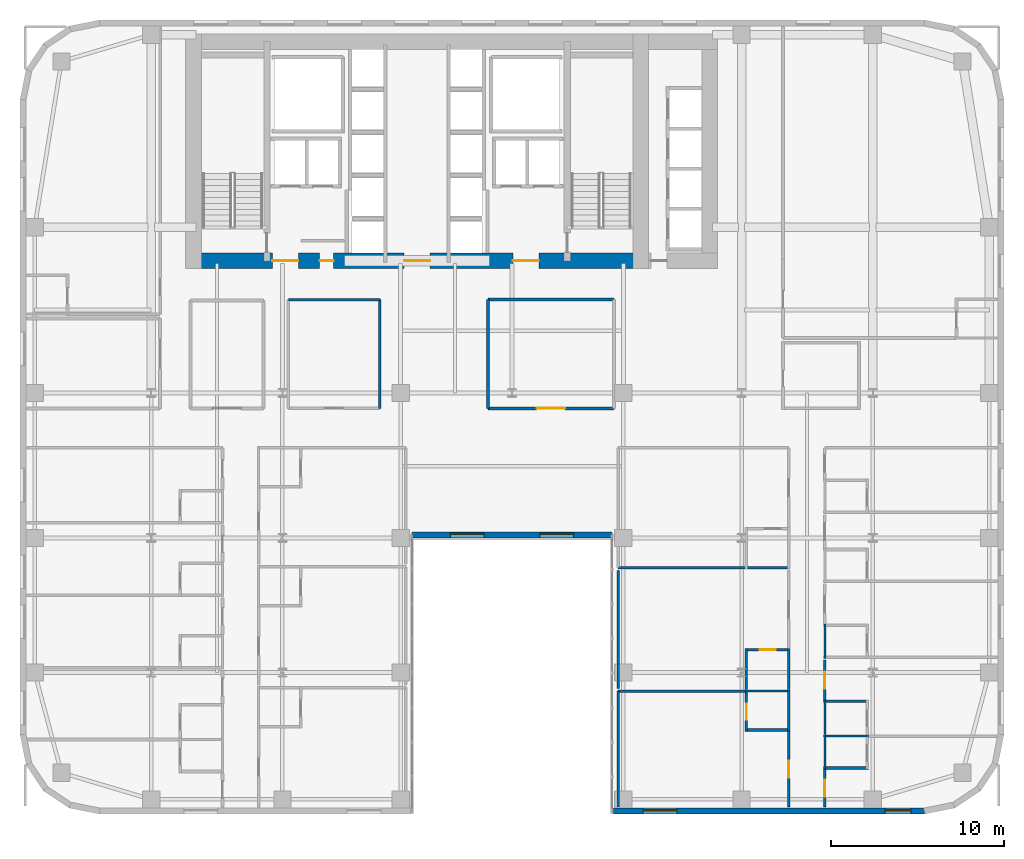
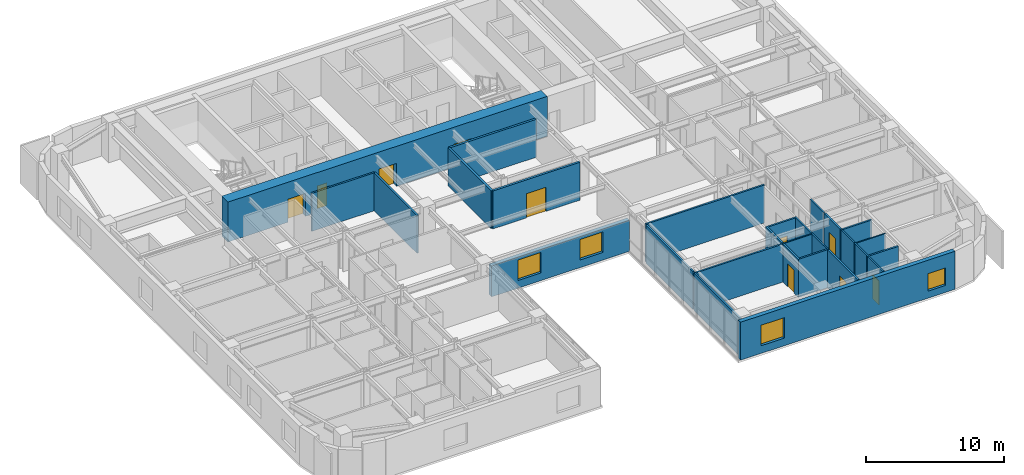
# One storey, part 12 of 17: 28 walls, 10 doors, 4 windows, 14 openings.
"""IFC4 building model written with IfcOpenShell, lengths in metres."""

from ifc_helpers import new_model, si_unit, direction, frame, frame_2d, origin, place, context, subcontext, project, spatial, rectangle, extrude, source, transform, mapped, material, layer, layer_set, type_object, type_shapes, element, fill, save


model = new_model("IFC4")

# Units and contexts
model_context = context("Model", 3, precision=1e-05, world=origin(), true_north=direction((0.0, 1.0)))
body_context = subcontext(model_context, "Body", "Model", "MODEL_VIEW")
ifc_project = project(units=[si_unit("LENGTHUNIT", "METRE"), si_unit("AREAUNIT", "SQUARE_METRE"), si_unit("VOLUMEUNIT", "CUBIC_METRE"), si_unit("PLANEANGLEUNIT", "RADIAN"), si_unit("MASSUNIT", "GRAM", prefix="KILO")], contexts=[model_context])

# Site, building, storey
site_placement = place(None, origin())
site = spatial("IfcSite", under=ifc_project, at=site_placement, CompositionType="ELEMENT")
building_placement = place(site_placement, origin())
building = spatial("IfcBuilding", under=site, at=building_placement, Name="Tolvann Quenvar Hotel", CompositionType="ELEMENT")
storey_placement = place(building_placement, frame((0.0, 0.0, 35.550048828125)))
storey = spatial("IfcBuildingStorey", under=building, at=storey_placement, Name="L07", CompositionType="ELEMENT", Elevation=35.550048828125)

# Wall, openings, doors
ifc_material_1 = material(Name="Concrete S80 (80 MPa)", Category="concrete")
ifc_layer_1 = layer(ifc_material_1, 0.89990234375)
ifc_layer_set_1 = layer_set([ifc_layer_1], Name="Concrete S80 (80 MPa)")
wall_type_1 = type_object("IfcWallType", Name="WALL_CORE_900", PredefinedType="SHEAR", material=ifc_layer_set_1)
wall_1_placement = place(storey_placement, frame((9.60009765625, 32.050048828125, 0.0), z_axis=(0.0, 0.0, 1.0), x_axis=(1.0, 0.0, 0.0)))
wall_1 = element("IfcWall", 1, at=wall_1_placement, inside=storey, type_object=wall_type_1, Name="Rear Core S Shear Wall (L07)", PredefinedType="SHEAR", context=body_context, shape_type="SweptSolid", body=[
    extrude(rectangle(XDim=26.7998046875, YDim=0.89990234375, at=frame_2d((13.39990234375, 0.0))), origin(), (0.0, 0.0, 1.0), 3.550048828125),
])
opening_1_placement = place(wall_1_placement, frame((6.52001953125, 0.0, 0.0), z_axis=(0.0, 0.0, 1.0), x_axis=(-1.0, 0.0, 0.0)))
opening_1 = element("IfcOpeningElement", 2, at=opening_1_placement, cuts=wall_1, Name="Opening FD-60D", PredefinedType="OPENING", context=body_context, shape_type="SweptSolid", body=[
    extrude(rectangle(XDim=1.5, YDim=2.0400390625, at=frame_2d((0.75, 1.02001953125))), frame((0.0, 0.4599609375, 0.0), z_axis=(0.0, -1.0, 0.0), x_axis=(1.0, 0.0, 0.0)), (0.0, 0.0, 1.0), 0.919921875),
])
opening_2_placement = place(wall_1_placement, frame((14.14990234375, 0.0, 0.0), z_axis=(0.0, 0.0, 1.0), x_axis=(-1.0, 0.0, 0.0)))
opening_2 = element("IfcOpeningElement", 3, at=opening_2_placement, cuts=wall_1, Name="Opening FD-60D", PredefinedType="OPENING", context=body_context, shape_type="SweptSolid", body=[
    extrude(rectangle(XDim=1.5, YDim=2.0400390625, at=frame_2d((0.75, 1.02001953125))), frame((0.0, 0.4599609375, 0.0), z_axis=(0.0, -1.0, 0.0), x_axis=(1.0, 0.0, 0.0)), (0.0, 0.0, 1.0), 0.919921875),
])
opening_3_placement = place(wall_1_placement, frame((20.449951171875, 0.0, 0.0), z_axis=(0.0, 0.0, 1.0), x_axis=(-1.0, 0.0, 0.0)))
opening_3 = element("IfcOpeningElement", 4, at=opening_3_placement, cuts=wall_1, Name="Opening FD-60D", PredefinedType="OPENING", context=body_context, shape_type="SweptSolid", body=[
    extrude(rectangle(XDim=1.5, YDim=2.0400390625, at=frame_2d((0.75, 1.02001953125))), frame((0.0, 0.4599609375, 0.0), z_axis=(0.0, -1.0, 0.0), x_axis=(1.0, 0.0, 0.0)), (0.0, 0.0, 1.0), 0.919921875),
])
opening_4_placement = place(wall_1_placement, frame((8.570068359375, 0.0, 0.0), z_axis=(0.0, 0.0, 1.0), x_axis=(-1.0, 0.0, 0.0)))
opening_4 = element("IfcOpeningElement", 5, at=opening_4_placement, cuts=wall_1, Name="Opening HD-02", PredefinedType="OPENING", context=body_context, shape_type="SweptSolid", body=[
    extrude(rectangle(XDim=0.820068359375, YDim=2.010009765625, at=frame_2d((0.41015625, 1.0048828125))), frame((0.0, 0.4599609375, 0.0), z_axis=(0.0, -1.0, 0.0), x_axis=(1.0, 0.0, 0.0)), (0.0, 0.0, 1.0), 0.919921875),
])
ifc_material_2 = material(Name="Solid-core American oak acoustic fire door leaf in steel frame", Category="steel")
door_type_1 = type_object("IfcDoorType", Name="DOOR_FIRE_LOBBY_1500", OperationType="NOTDEFINED", PredefinedType="DOOR", material=ifc_material_2)
shared_shape_1 = source(origin(), body_context, "Body", "SweptSolid", [
    extrude(rectangle(XDim=1.5, YDim=2.0400390625, at=frame_2d((0.75, 1.02001953125))), frame((0.0, 0.02490234375, 0.0), z_axis=(0.0, -1.0, 0.0), x_axis=(1.0, 0.0, 0.0)), (0.0, 0.0, 1.0), 0.050048828125),
])
type_shapes(door_type_1, [shared_shape_1])
door_1_placement = place(opening_1_placement, origin())
door_1 = element("IfcDoor", 6, at=door_1_placement, inside=storey, type_object=door_type_1, Name="Core Lobby Fire Door FFW (L07)", OperationType="DOUBLE_DOOR_SINGLE_SWING", OverallHeight=2.0400390625, OverallWidth=1.5, PredefinedType="DOOR", context=body_context, shape_type="MappedRepresentation", body=[
    mapped(shared_shape_1, transform((0.0, 0.0, 0.0), x_axis=(1.0, 0.0, 0.0), y_axis=(0.0, 1.0, 0.0), z_axis=(0.0, 0.0, 1.0), scale=1.0)),
])
fill(opening_1, door_1)
door_2_placement = place(opening_2_placement, origin())
door_2 = element("IfcDoor", 7, at=door_2_placement, inside=storey, type_object=door_type_1, Name="Core Lobby Fire Door CLOB (L07)", OperationType="DOUBLE_DOOR_SINGLE_SWING", OverallHeight=2.0400390625, OverallWidth=1.5, PredefinedType="DOOR", context=body_context, shape_type="MappedRepresentation", body=[
    mapped(shared_shape_1, transform((0.0, 0.0, 0.0), x_axis=(1.0, 0.0, 0.0), y_axis=(0.0, 1.0, 0.0), z_axis=(0.0, 0.0, 1.0), scale=1.0)),
])
fill(opening_2, door_2)
door_3_placement = place(opening_3_placement, origin())
door_3 = element("IfcDoor", 8, at=door_3_placement, inside=storey, type_object=door_type_1, Name="Core Lobby Fire Door FFE (L07)", OperationType="DOUBLE_DOOR_SINGLE_SWING", OverallHeight=2.0400390625, OverallWidth=1.5, PredefinedType="DOOR", context=body_context, shape_type="MappedRepresentation", body=[
    mapped(shared_shape_1, transform((0.0, 0.0, 0.0), x_axis=(1.0, 0.0, 0.0), y_axis=(0.0, 1.0, 0.0), z_axis=(0.0, 0.0, 1.0), scale=1.0)),
])
fill(opening_3, door_3)
ifc_material_3 = material(Name="Pressed galvanised steel fire-rated door set", Category="steel")
door_type_2 = type_object("IfcDoorType", Name="DOOR_STORE_820", OperationType="NOTDEFINED", PredefinedType="DOOR", material=ifc_material_3)
shared_shape_2 = source(origin(), body_context, "Body", "SweptSolid", [
    extrude(rectangle(XDim=0.820068359375, YDim=2.010009765625, at=frame_2d((0.41015625, 1.0048828125))), frame((0.0, 0.02490234375, 0.0), z_axis=(0.0, -1.0, 0.0), x_axis=(1.0, 0.0, 0.0)), (0.0, 0.0, 1.0), 0.050048828125),
])
type_shapes(door_type_2, [shared_shape_2])
door_4_placement = place(opening_4_placement, origin())
door_4 = element("IfcDoor", 9, at=door_4_placement, inside=storey, type_object=door_type_2, Name="Core Linen Store Fire Door (L07)", OperationType="SINGLE_SWING_LEFT", OverallHeight=2.010009765625, OverallWidth=0.820068359375, PredefinedType="DOOR", context=body_context, shape_type="MappedRepresentation", body=[
    mapped(shared_shape_2, transform((0.0, 0.0, 0.0), x_axis=(1.0, 0.0, 0.0), y_axis=(0.0, 1.0, 0.0), z_axis=(0.0, 0.0, 1.0), scale=1.0)),
])
fill(opening_4, door_4)

# Wall, openings, windows
ifc_material_4 = material(Name="Kiln-fired red and buff architectural clay brickwork and terracotta masonry", Category="masonry")
ifc_layer_2 = layer(ifc_material_4, 0.35009765625)
ifc_layer_set_2 = layer_set([ifc_layer_2], Name="Kiln-fired red and buff architectural clay brickwork and terracotta masonry")
wall_type_2 = type_object("IfcWallType", Name="WALL_EXT_BRICK_350", PredefinedType="SOLIDWALL", material=ifc_layer_set_2)
wall_2_placement = place(storey_placement, frame((22.7099609375, 16.175048828125, 0.0), z_axis=(0.0, 0.0, 1.0), x_axis=(1.0, 0.0, 0.0)))
wall_2 = element("IfcWall", 10, at=wall_2_placement, inside=storey, type_object=wall_type_2, Name="Exterior Chicago Brick Wall L07-E06", PredefinedType="SOLIDWALL", context=body_context, shape_type="SweptSolid", body=[
    extrude(rectangle(XDim=11.580078125, YDim=0.35009765625, at=frame_2d((5.7900390625, 0.0))), origin(), (0.0, 0.0, 1.0), 2.748046875),
])
opening_5_placement = place(wall_2_placement, frame((2.219970703125, 0.0, 0.679931640625)))
opening_5 = element("IfcOpeningElement", 11, at=opening_5_placement, cuts=wall_2, Name="Opening W-10", PredefinedType="OPENING", context=body_context, shape_type="SweptSolid", body=[
    extrude(rectangle(XDim=1.949951171875, YDim=1.820068359375, at=frame_2d((0.97509765625, 0.91015625))), frame((0.0, 0.18505859375, 0.0), z_axis=(0.0, -1.0, 0.0), x_axis=(1.0, 0.0, 0.0)), (0.0, 0.0, 1.0), 0.3701171875),
])
opening_6_placement = place(wall_2_placement, frame((7.409912109375, 0.0, 0.679931640625)))
opening_6 = element("IfcOpeningElement", 12, at=opening_6_placement, cuts=wall_2, Name="Opening W-10", PredefinedType="OPENING", context=body_context, shape_type="SweptSolid", body=[
    extrude(rectangle(XDim=1.949951171875, YDim=1.820068359375, at=frame_2d((0.97509765625, 0.91015625))), frame((0.0, 0.18505859375, 0.0), z_axis=(0.0, -1.0, 0.0), x_axis=(1.0, 0.0, 0.0)), (0.0, 0.0, 1.0), 0.3701171875),
])
ifc_material_5 = material(Name="Thermally broken bronze-anodised aluminium frame with double low-E glazing", Category="aluminium")
window_type_1 = type_object("IfcWindowType", Name="WIN_CLB_1950x1850", PartitioningType="DOUBLE_PANEL_VERTICAL", PredefinedType="WINDOW", material=ifc_material_5)
shared_shape_3 = source(origin(), body_context, "Body", "SweptSolid", [
    extrude(rectangle(XDim=1.949951171875, YDim=1.820068359375, at=frame_2d((0.97509765625, 0.91015625))), frame((0.0, 0.090087890625, 0.0), z_axis=(0.0, -1.0, 0.0), x_axis=(1.0, 0.0, 0.0)), (0.0, 0.0, 1.0), 0.06005859375),
])
type_shapes(window_type_1, [shared_shape_3])
window_1_placement = place(opening_5_placement, origin())
window_1 = element("IfcWindow", 13, at=window_1_placement, inside=storey, type_object=window_type_1, Name="Chicago Window W-10 (EW-L07-E06-W01)", OverallHeight=1.820068359375, OverallWidth=1.949951171875, PartitioningType="DOUBLE_PANEL_VERTICAL", PredefinedType="WINDOW", context=body_context, shape_type="MappedRepresentation", body=[
    mapped(shared_shape_3, transform((0.0, 0.0, 0.0), x_axis=(1.0, 0.0, 0.0), y_axis=(0.0, 1.0, 0.0), z_axis=(0.0, 0.0, 1.0), scale=1.0)),
])
fill(opening_5, window_1)
window_2_placement = place(opening_6_placement, origin())
window_2 = element("IfcWindow", 14, at=window_2_placement, inside=storey, type_object=window_type_1, Name="Chicago Window W-10 (EW-L07-E06-W02)", OverallHeight=1.820068359375, OverallWidth=1.949951171875, PartitioningType="DOUBLE_PANEL_VERTICAL", PredefinedType="WINDOW", context=body_context, shape_type="MappedRepresentation", body=[
    mapped(shared_shape_3, transform((0.0, 0.0, 0.0), x_axis=(1.0, 0.0, 0.0), y_axis=(0.0, 1.0, 0.0), z_axis=(0.0, 0.0, 1.0), scale=1.0)),
])
fill(opening_6, window_2)

wall_3_placement = place(storey_placement, frame((34.375, 0.175048828125, 0.0), z_axis=(0.0, 0.0, 1.0), x_axis=(1.0, 0.0, 0.0)))
wall_3 = element("IfcWall", 15, at=wall_3_placement, inside=storey, type_object=wall_type_2, Name="Exterior Chicago Brick Wall L07-E08", PredefinedType="SOLIDWALL", context=body_context, shape_type="SweptSolid", body=[
    extrude(rectangle(XDim=18.0078125, YDim=0.35009765625, at=frame_2d((9.00390625, 0.0))), origin(), (0.0, 0.0, 1.0), 3.369873046875),
])
opening_7_placement = place(wall_3_placement, frame((1.72607421875, 0.0, 0.679931640625)))
opening_7 = element("IfcOpeningElement", 16, at=opening_7_placement, cuts=wall_3, Name="Opening W-10", PredefinedType="OPENING", context=body_context, shape_type="SweptSolid", body=[
    extrude(rectangle(XDim=1.949951171875, YDim=1.820068359375, at=frame_2d((0.97509765625, 0.91015625))), frame((0.0, 0.18505859375, 0.0), z_axis=(0.0, -1.0, 0.0), x_axis=(1.0, 0.0, 0.0)), (0.0, 0.0, 1.0), 0.3701171875),
])
opening_8_placement = place(wall_3_placement, frame((15.72509765625, 0.0, 0.6201171875)))
opening_8 = element("IfcOpeningElement", 17, at=opening_8_placement, cuts=wall_3, Name="Opening W-08", PredefinedType="OPENING", context=body_context, shape_type="SweptSolid", body=[
    extrude(rectangle(XDim=1.5, YDim=1.550048828125, at=frame_2d((0.75, 0.77490234375))), frame((0.0, 0.18505859375, 0.0), z_axis=(0.0, -1.0, 0.0), x_axis=(1.0, 0.0, 0.0)), (0.0, 0.0, 1.0), 0.3701171875),
])
window_type_2 = type_object("IfcWindowType", Name="WIN_COR_1500x2050", PartitioningType="SINGLE_PANEL", PredefinedType="WINDOW", material=ifc_material_5)
shared_shape_4 = source(origin(), body_context, "Body", "SweptSolid", [
    extrude(rectangle(XDim=1.5, YDim=1.550048828125, at=frame_2d((0.75, 0.77490234375))), frame((0.0, 0.090087890625, 0.0), z_axis=(0.0, -1.0, 0.0), x_axis=(1.0, 0.0, 0.0)), (0.0, 0.0, 1.0), 0.06005859375),
])
type_shapes(window_type_2, [shared_shape_4])
window_3_placement = place(opening_8_placement, origin())
window_3 = element("IfcWindow", 18, at=window_3_placement, inside=storey, type_object=window_type_2, Name="Chicago Window W-08 (EW-L07-E08-WD02)", OverallHeight=1.550048828125, OverallWidth=1.5, PartitioningType="SINGLE_PANEL", PredefinedType="WINDOW", context=body_context, shape_type="MappedRepresentation", body=[
    mapped(shared_shape_4, transform((0.0, 0.0, 0.0), x_axis=(1.0, 0.0, 0.0), y_axis=(0.0, 1.0, 0.0), z_axis=(0.0, 0.0, 1.0), scale=1.0)),
])
fill(opening_8, window_3)
window_4_placement = place(opening_7_placement, origin())
window_4 = element("IfcWindow", 19, at=window_4_placement, inside=storey, type_object=window_type_1, Name="Chicago Window W-10 (EW-L07-E08-W01)", OverallHeight=1.820068359375, OverallWidth=1.949951171875, PartitioningType="DOUBLE_PANEL_VERTICAL", PredefinedType="WINDOW", context=body_context, shape_type="MappedRepresentation", body=[
    mapped(shared_shape_3, transform((0.0, 0.0, 0.0), x_axis=(1.0, 0.0, 0.0), y_axis=(0.0, 1.0, 0.0), z_axis=(0.0, 0.0, 1.0), scale=1.0)),
])
fill(opening_7, window_4)

# Wall, opening, door
ifc_material_6 = material(Name="Acoustic twin-stud fire-rated gypsum plasterboard partition")
ifc_layer_3 = layer(ifc_material_6, 0.179931640625)
ifc_layer_set_3 = layer_set([ifc_layer_3], Name="Acoustic twin-stud fire-rated gypsum plasterboard partition")
wall_type_3 = type_object("IfcWallType", Name="WALL_PART_ACOUSTIC_180", PredefinedType="PARTITIONING", material=ifc_layer_set_3)
wall_4_placement = place(storey_placement, frame((27.10009765625, 23.5, 0.0), z_axis=(0.0, 0.0, 1.0), x_axis=(1.0, 0.0, 0.0)))
wall_4 = element("IfcWall", 20, at=wall_4_placement, inside=storey, type_object=wall_type_3, Name="Interior Partition PT-SPC-L07-MSP-C-S", PredefinedType="PARTITIONING", context=body_context, shape_type="SweptSolid", body=[
    extrude(rectangle(XDim=7.2998046875, YDim=0.179931640625, at=frame_2d((3.64990234375, 0.0))), origin(), (0.0, 0.0, 1.0), 3.369873046875),
])
opening_9_placement = place(wall_4_placement, frame((2.824951171875, 0.0, 0.0)))
opening_9 = element("IfcOpeningElement", 21, at=opening_9_placement, cuts=wall_4, Name="Opening AD-01", PredefinedType="OPENING", context=body_context, shape_type="SweptSolid", body=[
    extrude(rectangle(XDim=1.64990234375, YDim=2.14990234375, at=frame_2d((0.824951171875, 1.074951171875))), frame((0.0, 0.10009765625, 0.0), z_axis=(0.0, -1.0, 0.0), x_axis=(1.0, 0.0, 0.0)), (0.0, 0.0, 1.0), 0.199951171875),
])
door_type_3 = type_object("IfcDoorType", Name="DOOR_SALON_1650", OperationType="NOTDEFINED", PredefinedType="DOOR", material=ifc_material_2)
shared_shape_5 = source(origin(), body_context, "Body", "SweptSolid", [
    extrude(rectangle(XDim=1.64990234375, YDim=2.14990234375, at=frame_2d((0.824951171875, 1.074951171875))), frame((0.0, 0.02490234375, 0.0), z_axis=(0.0, -1.0, 0.0), x_axis=(1.0, 0.0, 0.0)), (0.0, 0.0, 1.0), 0.050048828125),
])
type_shapes(door_type_3, [shared_shape_5])
door_5_placement = place(opening_9_placement, origin())
door_5 = element("IfcDoor", 22, at=door_5_placement, inside=storey, type_object=door_type_3, Name="Interior Door DOOR-SPC-L07-MSP-C", OperationType="DOUBLE_DOOR_SINGLE_SWING", OverallHeight=2.14990234375, OverallWidth=1.64990234375, PredefinedType="DOOR", context=body_context, shape_type="MappedRepresentation", body=[
    mapped(shared_shape_5, transform((0.0, 0.0, 0.0), x_axis=(1.0, 0.0, 0.0), y_axis=(0.0, 1.0, 0.0), z_axis=(0.0, 0.0, 1.0), scale=1.0)),
])
fill(opening_9, door_5)

# Walls
wall_5_placement = place(storey_placement, frame((27.10009765625, 29.800048828125, 0.0), z_axis=(0.0, 0.0, 1.0), x_axis=(1.0, 0.0, 0.0)))
element("IfcWall", 23, at=wall_5_placement, inside=storey, type_object=wall_type_3, Name="Interior Partition PT-SPC-L07-MSP-C-N", PredefinedType="PARTITIONING", context=body_context, shape_type="SweptSolid", body=[
    extrude(rectangle(XDim=7.2998046875, YDim=0.179931640625, at=frame_2d((3.64990234375, 0.0))), origin(), (0.0, 0.0, 1.0), 3.369873046875),
])
wall_6_placement = place(storey_placement, frame((27.10009765625, 23.5, 0.0), z_axis=(0.0, 0.0, 1.0), x_axis=(0.0, 1.0, 0.0)))
element("IfcWall", 24, at=wall_6_placement, inside=storey, type_object=wall_type_3, Name="Interior Partition PT-SPC-L07-MSP-C-W", PredefinedType="PARTITIONING", context=body_context, shape_type="SweptSolid", body=[
    extrude(rectangle(XDim=6.300048828125, YDim=0.179931640625, at=frame_2d((3.14990234375, 0.0))), origin(), (0.0, 0.0, 1.0), 3.369873046875),
])
ifc_material_7 = material(Name="Moisture-resistant acoustic plumbing wall assembly")
ifc_layer_4 = layer(ifc_material_7, 0.1201171875)
ifc_layer_set_4 = layer_set([ifc_layer_4], Name="Moisture-resistant acoustic plumbing wall assembly")
wall_type_4 = type_object("IfcWallType", Name="WALL_PART_BATH_120", PredefinedType="PLUMBINGWALL", material=ifc_layer_set_4)
wall_7_placement = place(storey_placement, frame((42.010009765625, 7.1201171875, 0.0), z_axis=(0.0, 0.0, 1.0), x_axis=(1.0, 0.0, 0.0)))
element("IfcWall", 25, at=wall_7_placement, inside=storey, type_object=wall_type_4, Name="Non-Rated Plumbing Partition PT-SPC-L07-ENS-EI01-N", PredefinedType="PLUMBINGWALL", context=body_context, shape_type="SweptSolid", body=[
    extrude(rectangle(XDim=2.590087890625, YDim=0.1201171875, at=frame_2d((1.294921875, 0.0))), origin(), (0.0, 0.0, 1.0), 3.369873046875),
])
wall_8_placement = place(storey_placement, frame((44.530029296875, 4.800048828125, 0.0), z_axis=(0.0, 0.0, 1.0), x_axis=(0.0, 1.0, 0.0)))
element("IfcWall", 26, at=wall_8_placement, inside=storey, type_object=wall_type_4, Name="Non-Rated Plumbing Partition PT-SPC-L07-ENS-EI01-E", PredefinedType="PLUMBINGWALL", context=body_context, shape_type="SweptSolid", body=[
    extrude(rectangle(XDim=2.389892578125, YDim=0.1201171875, at=frame_2d((1.19482421875, 0.0))), origin(), (0.0, 0.0, 1.0), 3.369873046875),
])
wall_9_placement = place(storey_placement, frame((44.530029296875, 7.2099609375, 0.0), z_axis=(0.0, 0.0, 1.0), x_axis=(0.0, 1.0, 0.0)))
element("IfcWall", 27, at=wall_9_placement, inside=storey, type_object=wall_type_4, Name="Non-Rated Plumbing Partition PT-SPC-L07-ENS-EI02-E", PredefinedType="PLUMBINGWALL", context=body_context, shape_type="SweptSolid", body=[
    extrude(rectangle(XDim=2.39013671875, YDim=0.1201171875, at=frame_2d((1.195068359375, 0.0))), origin(), (0.0, 0.0, 1.0), 3.369873046875),
])
wall_10_placement = place(storey_placement, frame((46.550048828125, 4.52001953125, 0.0), z_axis=(0.0, 0.0, 1.0), x_axis=(1.0, 0.0, 0.0)))
element("IfcWall", 28, at=wall_10_placement, inside=storey, type_object=wall_type_4, Name="Non-Rated Plumbing Partition PT-SPC-L07-ENS-EO01-N", PredefinedType="PLUMBINGWALL", context=body_context, shape_type="SweptSolid", body=[
    extrude(rectangle(XDim=2.58984375, YDim=0.1201171875, at=frame_2d((1.294921875, 0.0))), origin(), (0.0, 0.0, 1.0), 3.369873046875),
])
for number, where, z_axis, x_axis, name in (
    (29, (46.6201171875, 2.60009765625, 0.0), (0.0, 0.0, 1.0), (0.0, 1.0, 0.0), "Non-Rated Plumbing Partition PT-SPC-L07-ENS-EO01-W"),
    (30, (46.6201171875, 4.610107421875, 0.0), (0.0, 0.0, 1.0), (0.0, 1.0, 0.0), "Non-Rated Plumbing Partition PT-SPC-L07-ENS-EO02-W"),
    (31, (46.6201171875, 9.010009765625, 0.0), (0.0, 0.0, 1.0), (0.0, 1.0, 0.0), "Non-Rated Plumbing Partition PT-SPC-L07-ENS-EO03-W"),
):
    element("IfcWall", number, at=place(storey_placement, frame(where, z_axis=z_axis, x_axis=x_axis)), inside=storey, type_object=wall_type_4, Name=name, PredefinedType="PLUMBINGWALL", context=body_context, shape_type="SweptSolid", body=[
        extrude(rectangle(XDim=1.989990234375, YDim=0.1201171875, at=frame_2d((0.9951171875, 0.0))), origin(), (0.0, 0.0, 1.0), 3.369873046875),
    ])

# Wall, opening, door
ifc_layer_5 = layer(ifc_material_6, 0.14990234375)
ifc_layer_set_5 = layer_set([ifc_layer_5], Name="Acoustic twin-stud fire-rated gypsum plasterboard partition")
wall_type_5 = type_object("IfcWallType", Name="WALL_PART_SUITE_150", PredefinedType="PARTITIONING", material=ifc_layer_set_5)
wall_11_placement = place(storey_placement, frame((42.080078125, 4.800048828125, 0.0), z_axis=(0.0, 0.0, 1.0), x_axis=(0.0, 1.0, 0.0)))
wall_11 = element("IfcWall", 32, at=wall_11_placement, inside=storey, type_object=wall_type_5, Name="Interior Partition PT-SPC-L07-ENS-EI01-ENT", PredefinedType="PARTITIONING", context=body_context, shape_type="SweptSolid", body=[
    extrude(rectangle(XDim=2.389892578125, YDim=0.14990234375, at=frame_2d((1.19482421875, 0.0))), origin(), (0.0, 0.0, 1.0), 3.369873046875),
])
opening_10_placement = place(wall_11_placement, frame((0.6650390625, 0.0, 0.0)))
opening_10 = element("IfcOpeningElement", 33, at=opening_10_placement, cuts=wall_11, Name="Opening WD-01", PredefinedType="OPENING", context=body_context, shape_type="SweptSolid", body=[
    extrude(rectangle(XDim=0.919921875, YDim=2.010009765625, at=frame_2d((0.4599609375, 1.0048828125))), frame((0.0, 0.0849609375, 0.0), z_axis=(0.0, -1.0, 0.0), x_axis=(1.0, 0.0, 0.0)), (0.0, 0.0, 1.0), 0.169921875),
])
door_type_4 = type_object("IfcDoorType", Name="DOOR_WC_920", OperationType="NOTDEFINED", PredefinedType="DOOR", material=ifc_material_2)
shared_shape_6 = source(origin(), body_context, "Body", "SweptSolid", [
    extrude(rectangle(XDim=0.919921875, YDim=2.010009765625, at=frame_2d((0.4599609375, 1.0048828125))), frame((0.0, 0.02490234375, 0.0), z_axis=(0.0, -1.0, 0.0), x_axis=(1.0, 0.0, 0.0)), (0.0, 0.0, 1.0), 0.050048828125),
])
type_shapes(door_type_4, [shared_shape_6])
door_6_placement = place(opening_10_placement, origin())
door_6 = element("IfcDoor", 34, at=door_6_placement, inside=storey, type_object=door_type_4, Name="Interior Door DOOR-SPC-L07-ENS-EI01", OperationType="SINGLE_SWING_RIGHT", OverallHeight=2.010009765625, OverallWidth=0.919921875, PredefinedType="DOOR", context=body_context, shape_type="MappedRepresentation", body=[
    mapped(shared_shape_6, transform((0.0, 0.0, 0.0), x_axis=(1.0, 0.0, 0.0), y_axis=(0.0, 1.0, 0.0), z_axis=(0.0, 0.0, 1.0), scale=1.0)),
])
fill(opening_10, door_6)

# Walls
wall_12_placement = place(storey_placement, frame((42.010009765625, 4.8701171875, 0.0), z_axis=(0.0, 0.0, 1.0), x_axis=(1.0, 0.0, 0.0)))
element("IfcWall", 35, at=wall_12_placement, inside=storey, type_object=wall_type_5, Name="Interior Partition PT-SPC-L07-ENS-EI01-S", PredefinedType="PARTITIONING", context=body_context, shape_type="SweptSolid", body=[
    extrude(rectangle(XDim=2.590087890625, YDim=0.14990234375, at=frame_2d((1.294921875, 0.0))), origin(), (0.0, 0.0, 1.0), 3.369873046875),
])
wall_13_placement = place(storey_placement, frame((42.080078125, 7.2099609375, 0.0), z_axis=(0.0, 0.0, 1.0), x_axis=(0.0, 1.0, 0.0)))
element("IfcWall", 36, at=wall_13_placement, inside=storey, type_object=wall_type_5, Name="Interior Partition PT-SPC-L07-ENS-EI02-ENT", PredefinedType="PARTITIONING", context=body_context, shape_type="SweptSolid", body=[
    extrude(rectangle(XDim=2.39013671875, YDim=0.14990234375, at=frame_2d((1.195068359375, 0.0))), origin(), (0.0, 0.0, 1.0), 3.369873046875),
])

# Wall, opening, door
wall_14_placement = place(storey_placement, frame((42.010009765625, 9.530029296875, 0.0), z_axis=(0.0, 0.0, 1.0), x_axis=(1.0, 0.0, 0.0)))
wall_14 = element("IfcWall", 37, at=wall_14_placement, inside=storey, type_object=wall_type_5, Name="Interior Partition PT-SPC-L07-ENS-EI02-N", PredefinedType="PARTITIONING", context=body_context, shape_type="SweptSolid", body=[
    extrude(rectangle(XDim=2.590087890625, YDim=0.14990234375, at=frame_2d((1.294921875, 0.0))), origin(), (0.0, 0.0, 1.0), 3.369873046875),
])
opening_11_placement = place(wall_14_placement, frame((0.8349609375, 0.0, 0.0)))
opening_11 = element("IfcOpeningElement", 38, at=opening_11_placement, cuts=wall_14, Name="Opening WD-01", PredefinedType="OPENING", context=body_context, shape_type="SweptSolid", body=[
    extrude(rectangle(XDim=0.919921875, YDim=2.010009765625, at=frame_2d((0.4599609375, 1.0048828125))), frame((0.0, 0.0849609375, 0.0), z_axis=(0.0, -1.0, 0.0), x_axis=(1.0, 0.0, 0.0)), (0.0, 0.0, 1.0), 0.169921875),
])
door_7_placement = place(opening_11_placement, origin())
door_7 = element("IfcDoor", 39, at=door_7_placement, inside=storey, type_object=door_type_4, Name="Interior Door DOOR-SPC-L07-ENS-EI02", OperationType="SINGLE_SWING_LEFT", OverallHeight=2.010009765625, OverallWidth=0.919921875, PredefinedType="DOOR", context=body_context, shape_type="MappedRepresentation", body=[
    mapped(shared_shape_6, transform((0.0, 0.0, 0.0), x_axis=(1.0, 0.0, 0.0), y_axis=(0.0, 1.0, 0.0), z_axis=(0.0, 0.0, 1.0), scale=1.0)),
])
fill(opening_11, door_7)

# Walls
wall_15_placement = place(storey_placement, frame((34.64990234375, 14.280029296875, 0.0), z_axis=(0.0, 0.0, 1.0), x_axis=(1.0, 0.0, 0.0)))
element("IfcWall", 40, at=wall_15_placement, inside=storey, type_object=wall_type_5, Name="Interior Partition PT-SPC-L07-ENS-EI03-S", PredefinedType="PARTITIONING", context=body_context, shape_type="SweptSolid", body=[
    extrude(rectangle(XDim=9.9501953125, YDim=0.14990234375, at=frame_2d((4.97509765625, 0.0))), origin(), (0.0, 0.0, 1.0), 3.369873046875),
])
for number, where, z_axis, x_axis, name in (
    (41, (46.550048828125, 2.669921875, 0.0), (0.0, 0.0, 1.0), (1.0, 0.0, 0.0), "Interior Partition PT-SPC-L07-ENS-EO01-S"),
    (42, (46.550048828125, 6.530029296875, 0.0), (0.0, 0.0, 1.0), (1.0, 0.0, 0.0), "Interior Partition PT-SPC-L07-ENS-EO02-N"),
):
    element("IfcWall", number, at=place(storey_placement, frame(where, z_axis=z_axis, x_axis=x_axis)), inside=storey, type_object=wall_type_5, Name=name, PredefinedType="PARTITIONING", context=body_context, shape_type="SweptSolid", body=[
        extrude(rectangle(XDim=2.58984375, YDim=0.14990234375, at=frame_2d((1.294921875, 0.0))), origin(), (0.0, 0.0, 1.0), 3.369873046875),
    ])

# Wall, opening, door
wall_16_placement = place(storey_placement, frame((44.530029296875, 0.405029296875, 0.0), z_axis=(0.0, 0.0, 1.0), x_axis=(0.0, 1.0, 0.0)))
wall_16 = element("IfcWall", 43, at=wall_16_placement, inside=storey, type_object=wall_type_5, Name="Interior Partition PT-SPC-L07-RM-EI01-ENT", PredefinedType="PARTITIONING", context=body_context, shape_type="SweptSolid", body=[
    extrude(rectangle(XDim=4.385009765625, YDim=0.14990234375, at=frame_2d((2.1923828125, 0.0))), origin(), (0.0, 0.0, 1.0), 3.369873046875),
])
opening_12_placement = place(wall_16_placement, frame((1.7099609375, 0.0, 0.0)))
opening_12 = element("IfcOpeningElement", 44, at=opening_12_placement, cuts=wall_16, Name="Opening SD-01", PredefinedType="OPENING", context=body_context, shape_type="SweptSolid", body=[
    extrude(rectangle(XDim=0.97998046875, YDim=2.1201171875, at=frame_2d((0.489990234375, 1.06005859375))), frame((0.0, 0.0849609375, 0.0), z_axis=(0.0, -1.0, 0.0), x_axis=(1.0, 0.0, 0.0)), (0.0, 0.0, 1.0), 0.169921875),
])
door_type_5 = type_object("IfcDoorType", Name="DOOR_SUITE_980", OperationType="NOTDEFINED", PredefinedType="DOOR", material=ifc_material_2)
shared_shape_7 = source(origin(), body_context, "Body", "SweptSolid", [
    extrude(rectangle(XDim=0.97998046875, YDim=2.1201171875, at=frame_2d((0.489990234375, 1.06005859375))), frame((0.0, 0.02490234375, 0.0), z_axis=(0.0, -1.0, 0.0), x_axis=(1.0, 0.0, 0.0)), (0.0, 0.0, 1.0), 0.050048828125),
])
type_shapes(door_type_5, [shared_shape_7])
door_8_placement = place(opening_12_placement, origin())
door_8 = element("IfcDoor", 45, at=door_8_placement, inside=storey, type_object=door_type_5, Name="Interior Door DOOR-SPC-L07-RM-EI01", OperationType="SINGLE_SWING_RIGHT", OverallHeight=2.1201171875, OverallWidth=0.97998046875, PredefinedType="DOOR", context=body_context, shape_type="MappedRepresentation", body=[
    mapped(shared_shape_7, transform((0.0, 0.0, 0.0), x_axis=(1.0, 0.0, 0.0), y_axis=(0.0, 1.0, 0.0), z_axis=(0.0, 0.0, 1.0), scale=1.0)),
])
fill(opening_12, door_8)

# Walls
wall_17_placement = place(storey_placement, frame((34.64990234375, 7.1201171875, 0.0), z_axis=(0.0, 0.0, 1.0), x_axis=(1.0, 0.0, 0.0)))
element("IfcWall", 46, at=wall_17_placement, inside=storey, type_object=wall_type_5, Name="Interior Partition PT-SPC-L07-RM-EI01-E5", PredefinedType="PARTITIONING", context=body_context, shape_type="SweptSolid", body=[
    extrude(rectangle(XDim=7.41015625, YDim=0.14990234375, at=frame_2d((3.705078125, 0.0))), origin(), (0.0, 0.0, 1.0), 3.369873046875),
])
wall_18_placement = place(storey_placement, frame((34.64990234375, 0.405029296875, 0.0), z_axis=(0.0, 0.0, 1.0), x_axis=(0.0, 1.0, 0.0)))
element("IfcWall", 47, at=wall_18_placement, inside=storey, type_object=wall_type_5, Name="Interior Partition PT-SPC-L07-RM-EI01-E6", PredefinedType="PARTITIONING", context=body_context, shape_type="SweptSolid", body=[
    extrude(rectangle(XDim=6.715087890625, YDim=0.14990234375, at=frame_2d((3.357421875, 0.0))), origin(), (0.0, 0.0, 1.0), 3.369873046875),
])
wall_19_placement = place(storey_placement, frame((34.64990234375, 7.280029296875, 0.0), z_axis=(0.0, 0.0, 1.0), x_axis=(0.0, 1.0, 0.0)))
element("IfcWall", 48, at=wall_19_placement, inside=storey, type_object=wall_type_5, Name="Interior Partition PT-SPC-L07-RM-EI02-E6", PredefinedType="PARTITIONING", context=body_context, shape_type="SweptSolid", body=[
    extrude(rectangle(XDim=6.840087890625, YDim=0.14990234375, at=frame_2d((3.419921875, 0.0))), origin(), (0.0, 0.0, 1.0), 3.369873046875),
])

# Wall, opening, door
wall_20_placement = place(storey_placement, frame((46.6201171875, 0.405029296875, 0.0), z_axis=(0.0, 0.0, 1.0), x_axis=(0.0, 1.0, 0.0)))
wall_20 = element("IfcWall", 49, at=wall_20_placement, inside=storey, type_object=wall_type_5, Name="Interior Partition PT-SPC-L07-RM-EO01-ENT", PredefinedType="PARTITIONING", context=body_context, shape_type="SweptSolid", body=[
    extrude(rectangle(XDim=2.18505859375, YDim=0.14990234375, at=frame_2d((1.092529296875, 0.0))), origin(), (0.0, 0.0, 1.0), 3.369873046875),
])
opening_13_placement = place(wall_20_placement, frame((0.610107421875, 0.0, 0.0)))
opening_13 = element("IfcOpeningElement", 50, at=opening_13_placement, cuts=wall_20, Name="Opening SD-01", PredefinedType="OPENING", context=body_context, shape_type="SweptSolid", body=[
    extrude(rectangle(XDim=0.97998046875, YDim=2.1201171875, at=frame_2d((0.489990234375, 1.06005859375))), frame((0.0, 0.0849609375, 0.0), z_axis=(0.0, -1.0, 0.0), x_axis=(1.0, 0.0, 0.0)), (0.0, 0.0, 1.0), 0.169921875),
])
door_9_placement = place(opening_13_placement, origin())
door_9 = element("IfcDoor", 51, at=door_9_placement, inside=storey, type_object=door_type_5, Name="Interior Door DOOR-SPC-L07-RM-EO01", OperationType="SINGLE_SWING_LEFT", OverallHeight=2.1201171875, OverallWidth=0.97998046875, PredefinedType="DOOR", context=body_context, shape_type="MappedRepresentation", body=[
    mapped(shared_shape_7, transform((0.0, 0.0, 0.0), x_axis=(1.0, 0.0, 0.0), y_axis=(0.0, 1.0, 0.0), z_axis=(0.0, 0.0, 1.0), scale=1.0)),
])
fill(opening_13, door_9)

wall_21_placement = place(storey_placement, frame((46.6201171875, 6.610107421875, 0.0), z_axis=(0.0, 0.0, 1.0), x_axis=(0.0, 1.0, 0.0)))
wall_21 = element("IfcWall", 52, at=wall_21_placement, inside=storey, type_object=wall_type_5, Name="Interior Partition PT-SPC-L07-RM-EO02-ENT", PredefinedType="PARTITIONING", context=body_context, shape_type="SweptSolid", body=[
    extrude(rectangle(XDim=2.309814453125, YDim=0.14990234375, at=frame_2d((1.15478515625, 0.0))), origin(), (0.0, 0.0, 1.0), 3.369873046875),
])
opening_14_placement = place(wall_21_placement, frame((0.64501953125, 0.0, 0.0)))
opening_14 = element("IfcOpeningElement", 53, at=opening_14_placement, cuts=wall_21, Name="Opening SD-01", PredefinedType="OPENING", context=body_context, shape_type="SweptSolid", body=[
    extrude(rectangle(XDim=0.97998046875, YDim=2.1201171875, at=frame_2d((0.489990234375, 1.06005859375))), frame((0.0, 0.0849609375, 0.0), z_axis=(0.0, -1.0, 0.0), x_axis=(1.0, 0.0, 0.0)), (0.0, 0.0, 1.0), 0.169921875),
])
door_10_placement = place(opening_14_placement, origin())
door_10 = element("IfcDoor", 54, at=door_10_placement, inside=storey, type_object=door_type_5, Name="Interior Door DOOR-SPC-L07-RM-EO02", OperationType="SINGLE_SWING_RIGHT", OverallHeight=2.1201171875, OverallWidth=0.97998046875, PredefinedType="DOOR", context=body_context, shape_type="MappedRepresentation", body=[
    mapped(shared_shape_7, transform((0.0, 0.0, 0.0), x_axis=(1.0, 0.0, 0.0), y_axis=(0.0, 1.0, 0.0), z_axis=(0.0, 0.0, 1.0), scale=1.0)),
])
fill(opening_14, door_10)

# Walls
wall_22_placement = place(storey_placement, frame((15.550048828125, 29.800048828125, 0.0), z_axis=(0.0, 0.0, 1.0), x_axis=(1.0, 0.0, 0.0)))
element("IfcWall", 55, at=wall_22_placement, inside=storey, type_object=wall_type_5, Name="Interior Partition PT-SPC-L07-MSP-N-N", PredefinedType="PARTITIONING", context=body_context, shape_type="SweptSolid", body=[
    extrude(rectangle(XDim=5.300048828125, YDim=0.14990234375, at=frame_2d((2.64990234375, 0.0))), origin(), (0.0, 0.0, 1.0), 3.369873046875),
])
wall_23_placement = place(storey_placement, frame((20.85009765625, 23.5, 0.0), z_axis=(0.0, 0.0, 1.0), x_axis=(0.0, 1.0, 0.0)))
element("IfcWall", 56, at=wall_23_placement, inside=storey, type_object=wall_type_5, Name="Interior Partition PT-SPC-L07-MSP-N-E", PredefinedType="PARTITIONING", context=body_context, shape_type="SweptSolid", body=[
    extrude(rectangle(XDim=6.300048828125, YDim=0.14990234375, at=frame_2d((3.14990234375, 0.0))), origin(), (0.0, 0.0, 1.0), 3.369873046875),
])

save(model, "model.ifc")
